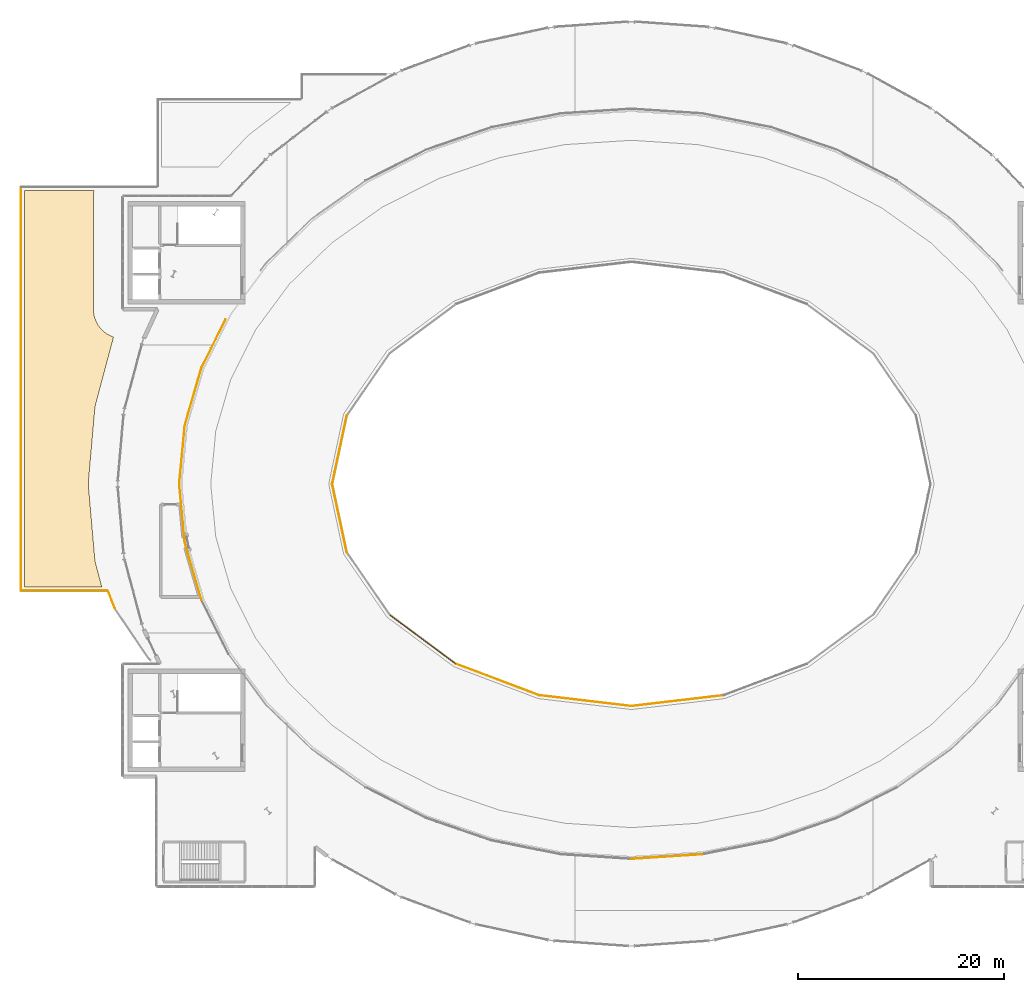
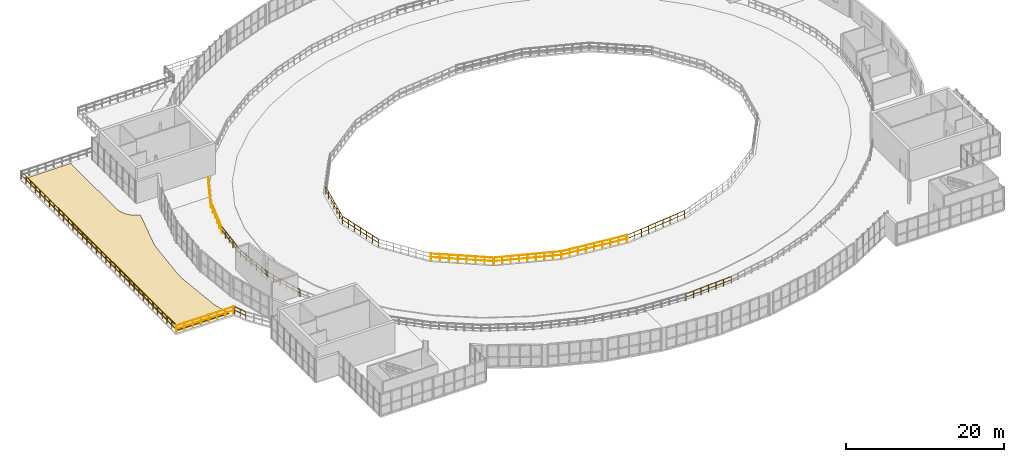
# One storey, part 36 of 40: 15 railings, 1 covering.
"""IFC4 building model written with IfcOpenShell, lengths in metres."""

from ifc_helpers import new_model, si_unit, direction, frame, origin, origin_2d, place, context, subcontext, project, spatial, polyline, circle, outline, extrude, material, layer, layer_set, type_object, element, save


model = new_model("IFC4")

# Units and contexts
model_context = context("Model", 3, precision=1e-05, world=origin(), true_north=direction((0.0, 1.0)))
body_context = subcontext(model_context, "Body", "Model", "MODEL_VIEW")
ifc_project = project(units=[si_unit("LENGTHUNIT", "METRE"), si_unit("AREAUNIT", "SQUARE_METRE"), si_unit("VOLUMEUNIT", "CUBIC_METRE"), si_unit("PLANEANGLEUNIT", "RADIAN"), si_unit("MASSUNIT", "GRAM", prefix="KILO")], contexts=[model_context])

# Site, building, storey
site_placement = place(None, origin())
site = spatial("IfcSite", under=ifc_project, at=site_placement, CompositionType="ELEMENT")
building_placement = place(site_placement, origin())
building = spatial("IfcBuilding", under=site, at=building_placement, Name="Glasvene Arena", CompositionType="ELEMENT")
storey_placement = place(building_placement, frame((0.0, 0.0, 24.0)))
storey = spatial("IfcBuildingStorey", under=building, at=storey_placement, Name="L05", CompositionType="ELEMENT", Elevation=24.0)

# Covering
ifc_material_1 = material(Name="Planted sedum green roof substrate")
ifc_layer = layer(ifc_material_1, 0.1201171875)
ifc_layer_set = layer_set([ifc_layer], Name="Planted sedum green roof substrate")
covering_type = type_object("IfcCoveringType", Name="COV-ROOF-SEDUM", PredefinedType="ROOFING", material=ifc_layer_set)
covering_placement = place(storey_placement, frame((39.74462890625, 84.0361328125, 0.0)))
element("IfcCovering", 1, at=covering_placement, inside=storey, type_object=covering_type, Name="Planted limestone terrace sedum bed TR-L05-STEP4-2-11", PredefinedType="ROOFING", context=body_context, shape_type="SweptSolid", body=[
    extrude(outline(polyline([(-0.04052734375, 17.513916015625), (-0.043701171875, 17.498046875), (-0.078125, 17.26513671875), (-0.08251953125, 17.22119140625), (-0.09423828125, 16.986083984375), (-0.0947265625, 16.9638671875), (-0.0947265625, 5.9638671875), (-0.09423828125, 5.941650390625), (-0.08251953125, 5.70654296875), (-0.078125, 5.66259765625), (-0.043701171875, 5.4296875), (-0.034912109375, 5.38623046875), (0.022216796875, 5.157958984375), (0.034912109375, 5.115478515625), (0.1142578125, 4.893798828125), (0.13134765625, 4.85302734375), (0.23193359375, 4.64013671875), (0.252685546875, 4.60107421875), (0.373779296875, 4.399169921875), (0.3984375, 4.362548828125), (0.53857421875, 4.17333984375), (0.566650390625, 4.13916015625), (0.724853515625, 3.964599609375), (0.756103515625, 3.933349609375), (0.9306640625, 3.775146484375), (0.96484375, 3.7470703125), (1.154052734375, 3.60693359375), (1.190673828125, 3.582275390625), (1.392578125, 3.461181640625), (1.431640625, 3.4404296875), (1.64453125, 3.33984375), (1.685302734375, 3.32275390625), (1.857421875, 3.26123046875), (0.1171875, -3.261962890625), (0.11279296875, -3.281005859375), (0.06787109375, -3.484130859375), (0.06103515625, -3.5224609375), (0.033935546875, -3.728759765625), (0.03173828125, -3.748291015625), (-0.583740234375, -10.787841796875), (-0.5849609375, -10.807373046875), (-0.59423828125, -11.0166015625), (-0.59423828125, -11.0556640625), (-0.5849609375, -11.264892578125), (-0.583740234375, -11.284423828125), (0.03173828125, -18.323974609375), (0.033935546875, -18.343505859375), (0.06103515625, -18.5498046875), (0.06787109375, -18.588134765625), (0.11279296875, -18.791259765625), (0.1171875, -18.810302734375), (0.724365234375, -21.086181640625), (-6.794677734375, -21.086181640625), (-6.794677734375, 17.513916015625), (-0.04052734375, 17.513916015625)])), origin(), (0.0, 0.0, 1.0), 0.1201171875),
])

# Railings
ifc_material_2 = material(Name="Brushed stainless steel", Category="steel")
railing_type_1 = type_object("IfcRailingType", Name="RL-GUARD-1100", PredefinedType="GUARDRAIL", material=ifc_material_2)
railing_1_placement = place(storey_placement, frame((52.5107421875, 89.0, 0.0)))
element("IfcRailing", 2, at=railing_1_placement, inside=storey, type_object=railing_type_1, Name="Safety guardrail GD-GND-L05-3-001", PredefinedType="GUARDRAIL", context=body_context, shape_type="SweptSolid", body=[
    extrude(circle(Radius=0.02392578125, at=origin_2d()), frame((0.0, 0.0, 1.076171875), z_axis=(-0.446713835453, -0.894676896547, 0.0), x_axis=(0.894676896547, -0.446713835453, 0.0)), (0.0, 0.0, 1.0), 5.276611328125),
    extrude(circle(Radius=0.01611328125, at=origin_2d()), frame((0.0, 0.0, 0.550048828125), z_axis=(-0.446713835453, -0.894676896547, 0.0), x_axis=(0.894676896547, -0.446713835453, 0.0)), (0.0, 0.0, 1.0), 5.276611328125),
    extrude(circle(Radius=0.02099609375, at=origin_2d()), origin(), (0.0, 0.0, 1.0), 1.052001953125),
    extrude(circle(Radius=0.02099609375, at=origin_2d()), frame((-0.471435546875, -0.944091796875, 0.0)), (0.0, 0.0, 1.0), 1.052001953125),
    extrude(circle(Radius=0.02099609375, at=origin_2d()), frame((-0.94287109375, -1.888427734375, 0.0)), (0.0, 0.0, 1.0), 1.052001953125),
    extrude(circle(Radius=0.02099609375, at=origin_2d()), frame((-1.414306640625, -2.83251953125, 0.0)), (0.0, 0.0, 1.0), 1.052001953125),
    extrude(circle(Radius=0.02099609375, at=origin_2d()), frame((-1.8857421875, -3.77685546875, 0.0)), (0.0, 0.0, 1.0), 1.052001953125),
    extrude(circle(Radius=0.02099609375, at=origin_2d()), frame((-2.357177734375, -4.720947265625, 0.0)), (0.0, 0.0, 1.0), 1.052001953125),
])
railing_2_placement = place(storey_placement, frame((50.153564453125, 84.279052734375, 0.0)))
element("IfcRailing", 3, at=railing_2_placement, inside=storey, type_object=railing_type_1, Name="Safety guardrail GD-GND-L05-3-002", PredefinedType="GUARDRAIL", context=body_context, shape_type="SweptSolid", body=[
    extrude(circle(Radius=0.02392578125, at=origin_2d()), frame((0.0, 0.0, 1.076171875), z_axis=(-0.278012064351, -0.960577582538, 0.0), x_axis=(0.960577582538, -0.278012064351, 0.0)), (0.0, 0.0, 1.0), 5.797607421875),
    extrude(circle(Radius=0.01611328125, at=origin_2d()), frame((0.0, 0.0, 0.550048828125), z_axis=(-0.278012064351, -0.960577582538, 0.0), x_axis=(0.960577582538, -0.278012064351, 0.0)), (0.0, 0.0, 1.0), 5.797607421875),
    extrude(circle(Radius=0.02099609375, at=origin_2d()), origin(), (0.0, 0.0, 1.0), 1.052001953125),
    extrude(circle(Radius=0.02099609375, at=origin_2d()), frame((-0.322265625, -1.11376953125, 0.0)), (0.0, 0.0, 1.0), 1.052001953125),
    extrude(circle(Radius=0.02099609375, at=origin_2d()), frame((-0.644775390625, -2.2275390625, 0.0)), (0.0, 0.0, 1.0), 1.052001953125),
    extrude(circle(Radius=0.02099609375, at=origin_2d()), frame((-0.967041015625, -3.341552734375, 0.0)), (0.0, 0.0, 1.0), 1.052001953125),
    extrude(circle(Radius=0.02099609375, at=origin_2d()), frame((-1.28955078125, -4.455322265625, 0.0)), (0.0, 0.0, 1.0), 1.052001953125),
    extrude(circle(Radius=0.02099609375, at=origin_2d()), frame((-1.61181640625, -5.569091796875, 0.0)), (0.0, 0.0, 1.0), 1.052001953125),
])
railing_3_placement = place(storey_placement, frame((48.541748046875, 78.7099609375, 0.0)))
element("IfcRailing", 4, at=railing_3_placement, inside=storey, type_object=railing_type_1, Name="Safety guardrail GD-GND-L05-3-003", PredefinedType="GUARDRAIL", context=body_context, shape_type="SweptSolid", body=[
    extrude(circle(Radius=0.02392578125, at=origin_2d()), frame((0.0, 0.0, 1.076171875), z_axis=(-0.094453542463, -0.995529270447, 0.0), x_axis=(0.995529270447, -0.094453542463, 0.0)), (0.0, 0.0, 1.0), 5.735595703125),
    extrude(circle(Radius=0.01611328125, at=origin_2d()), frame((0.0, 0.0, 0.550048828125), z_axis=(-0.094453542463, -0.995529270447, 0.0), x_axis=(0.995529270447, -0.094453542463, 0.0)), (0.0, 0.0, 1.0), 5.735595703125),
    extrude(circle(Radius=0.02099609375, at=origin_2d()), origin(), (0.0, 0.0, 1.0), 1.052001953125),
    extrude(circle(Radius=0.02099609375, at=origin_2d()), frame((-0.1083984375, -1.14208984375, 0.0)), (0.0, 0.0, 1.0), 1.052001953125),
    extrude(circle(Radius=0.02099609375, at=origin_2d()), frame((-0.216796875, -2.283935546875, 0.0)), (0.0, 0.0, 1.0), 1.052001953125),
    extrude(circle(Radius=0.02099609375, at=origin_2d()), frame((-0.324951171875, -3.426025390625, 0.0)), (0.0, 0.0, 1.0), 1.052001953125),
    extrude(circle(Radius=0.02099609375, at=origin_2d()), frame((-0.433349609375, -4.56787109375, 0.0)), (0.0, 0.0, 1.0), 1.052001953125),
    extrude(circle(Radius=0.02099609375, at=origin_2d()), frame((-0.541748046875, -5.7099609375, 0.0)), (0.0, 0.0, 1.0), 1.052001953125),
])
railing_4_placement = place(storey_placement, frame((48.0, 73.0, 0.0)))
element("IfcRailing", 5, at=railing_4_placement, inside=storey, type_object=railing_type_1, Name="Safety guardrail GD-GND-L05-3-004", PredefinedType="GUARDRAIL", context=body_context, shape_type="SweptSolid", body=[
    extrude(circle(Radius=0.02392578125, at=origin_2d()), frame((0.0, 0.0, 1.076171875), z_axis=(0.094453542463, -0.995529270447, 0.0), x_axis=(0.995529270447, 0.094453542463, 0.0)), (0.0, 0.0, 1.0), 5.735595703125),
    extrude(circle(Radius=0.01611328125, at=origin_2d()), frame((0.0, 0.0, 0.550048828125), z_axis=(0.094453542463, -0.995529270447, 0.0), x_axis=(0.995529270447, 0.094453542463, 0.0)), (0.0, 0.0, 1.0), 5.735595703125),
    extrude(circle(Radius=0.02099609375, at=origin_2d()), origin(), (0.0, 0.0, 1.0), 1.052001953125),
    extrude(circle(Radius=0.02099609375, at=origin_2d()), frame((0.1083984375, -1.14208984375, 0.0)), (0.0, 0.0, 1.0), 1.052001953125),
    extrude(circle(Radius=0.02099609375, at=origin_2d()), frame((0.216796875, -2.283935546875, 0.0)), (0.0, 0.0, 1.0), 1.052001953125),
    extrude(circle(Radius=0.02099609375, at=origin_2d()), frame((0.324951171875, -3.426025390625, 0.0)), (0.0, 0.0, 1.0), 1.052001953125),
    extrude(circle(Radius=0.02099609375, at=origin_2d()), frame((0.433349609375, -4.56787109375, 0.0)), (0.0, 0.0, 1.0), 1.052001953125),
    extrude(circle(Radius=0.02099609375, at=origin_2d()), frame((0.541748046875, -5.7099609375, 0.0)), (0.0, 0.0, 1.0), 1.052001953125),
])
railing_5_placement = place(storey_placement, frame((48.541748046875, 67.2900390625, 0.0)))
element("IfcRailing", 6, at=railing_5_placement, inside=storey, type_object=railing_type_1, Name="Safety guardrail GD-GND-L05-3-005", PredefinedType="GUARDRAIL", context=body_context, shape_type="SweptSolid", body=[
    extrude(circle(Radius=0.02392578125, at=origin_2d()), frame((0.0, 0.0, 1.076171875), z_axis=(0.278012064351, -0.960577582538, 0.0), x_axis=(0.960577582538, 0.278012064351, 0.0)), (0.0, 0.0, 1.0), 5.797607421875),
    extrude(circle(Radius=0.01611328125, at=origin_2d()), frame((0.0, 0.0, 0.550048828125), z_axis=(0.278012064351, -0.960577582538, 0.0), x_axis=(0.960577582538, 0.278012064351, 0.0)), (0.0, 0.0, 1.0), 5.797607421875),
    extrude(circle(Radius=0.02099609375, at=origin_2d()), origin(), (0.0, 0.0, 1.0), 1.052001953125),
    extrude(circle(Radius=0.02099609375, at=origin_2d()), frame((0.322265625, -1.11376953125, 0.0)), (0.0, 0.0, 1.0), 1.052001953125),
    extrude(circle(Radius=0.02099609375, at=origin_2d()), frame((0.644775390625, -2.2275390625, 0.0)), (0.0, 0.0, 1.0), 1.052001953125),
    extrude(circle(Radius=0.02099609375, at=origin_2d()), frame((0.967041015625, -3.341552734375, 0.0)), (0.0, 0.0, 1.0), 1.052001953125),
    extrude(circle(Radius=0.02099609375, at=origin_2d()), frame((1.28955078125, -4.455322265625, 0.0)), (0.0, 0.0, 1.0), 1.052001953125),
    extrude(circle(Radius=0.02099609375, at=origin_2d()), frame((1.61181640625, -5.569091796875, 0.0)), (0.0, 0.0, 1.0), 1.052001953125),
])
railing_6_placement = place(storey_placement, frame((92.0, 36.5, 0.0)))
element("IfcRailing", 7, at=railing_6_placement, inside=storey, type_object=railing_type_1, Name="Safety guardrail GD-GND-L05-3-014", PredefinedType="GUARDRAIL", context=body_context, shape_type="SweptSolid", body=[
    extrude(circle(Radius=0.02392578125, at=origin_2d()), frame((0.0, 0.0, 1.076171875), z_axis=(0.997874755959, 0.06516111892, 0.0), x_axis=(-0.06516111892, 0.997874755959, 0.0)), (0.0, 0.0, 1.0), 6.897705078125),
    extrude(circle(Radius=0.01611328125, at=origin_2d()), frame((0.0, 0.0, 0.550048828125), z_axis=(0.997874755959, 0.06516111892, 0.0), x_axis=(-0.06516111892, 0.997874755959, 0.0)), (0.0, 0.0, 1.0), 6.897705078125),
    extrude(circle(Radius=0.02099609375, at=origin_2d()), origin(), (0.0, 0.0, 1.0), 1.052001953125),
    extrude(circle(Radius=0.02099609375, at=origin_2d()), frame((1.147216796875, 0.074951171875, 0.0)), (0.0, 0.0, 1.0), 1.052001953125),
    extrude(circle(Radius=0.02099609375, at=origin_2d()), frame((2.29443359375, 0.14990234375, 0.0)), (0.0, 0.0, 1.0), 1.052001953125),
    extrude(circle(Radius=0.02099609375, at=origin_2d()), frame((3.44140625, 0.224609375, 0.0)), (0.0, 0.0, 1.0), 1.052001953125),
    extrude(circle(Radius=0.02099609375, at=origin_2d()), frame((4.588623046875, 0.299560546875, 0.0)), (0.0, 0.0, 1.0), 1.052001953125),
    extrude(circle(Radius=0.02099609375, at=origin_2d()), frame((5.73583984375, 0.37451171875, 0.0)), (0.0, 0.0, 1.0), 1.052001953125),
    extrude(circle(Radius=0.02099609375, at=origin_2d()), frame((6.883056640625, 0.449462890625, 0.0)), (0.0, 0.0, 1.0), 1.052001953125),
])
ifc_material_3 = material(Name="Warm bronze architectural aluminium", Category="aluminium")
railing_type_2 = type_object("IfcRailingType", Name="RL-GUARD-EXT-1150", PredefinedType="GUARDRAIL", material=ifc_material_3)
railing_7_placement = place(storey_placement, frame((64.302001953125, 79.6689453125, 0.0)))
element("IfcRailing", 8, at=railing_7_placement, inside=storey, type_object=railing_type_2, Name="Safety guardrail GD-TER-L05-TR-L05-STEP4-1-01-008", PredefinedType="GUARDRAIL", context=body_context, shape_type="SweptSolid", body=[
    extrude(circle(Radius=0.02392578125, at=origin_2d()), frame((0.0, 0.0, 1.1259765625), z_axis=(-0.208932685228, -0.977930024615, 0.0), x_axis=(0.977930024615, -0.208932685228, 0.0)), (0.0, 0.0, 1.0), 6.793701171875),
    extrude(circle(Radius=0.01611328125, at=origin_2d()), frame((0.0, 0.0, 0.574951171875), z_axis=(-0.208932685228, -0.977930024615, 0.0), x_axis=(0.977930024615, -0.208932685228, 0.0)), (0.0, 0.0, 1.0), 6.793701171875),
    extrude(circle(Radius=0.02099609375, at=origin_2d()), origin(), (0.0, 0.0, 1.0), 1.101806640625),
    extrude(circle(Radius=0.02099609375, at=origin_2d()), frame((-0.236572265625, -1.107421875, 0.0)), (0.0, 0.0, 1.0), 1.101806640625),
    extrude(circle(Radius=0.02099609375, at=origin_2d()), frame((-0.47314453125, -2.214599609375, 0.0)), (0.0, 0.0, 1.0), 1.101806640625),
    extrude(circle(Radius=0.02099609375, at=origin_2d()), frame((-0.709716796875, -3.32177734375, 0.0)), (0.0, 0.0, 1.0), 1.101806640625),
    extrude(circle(Radius=0.02099609375, at=origin_2d()), frame((-0.9462890625, -4.42919921875, 0.0)), (0.0, 0.0, 1.0), 1.101806640625),
    extrude(circle(Radius=0.02099609375, at=origin_2d()), frame((-1.182861328125, -5.53662109375, 0.0)), (0.0, 0.0, 1.0), 1.101806640625),
    extrude(circle(Radius=0.02099609375, at=origin_2d()), frame((-1.41943359375, -6.643798828125, 0.0)), (0.0, 0.0, 1.0), 1.101806640625),
])
railing_8_placement = place(storey_placement, frame((62.882568359375, 72.974853515625, 0.0)))
element("IfcRailing", 9, at=railing_8_placement, inside=storey, type_object=railing_type_2, Name="Safety guardrail GD-TER-L05-TR-L05-STEP4-1-01-009", PredefinedType="GUARDRAIL", context=body_context, shape_type="SweptSolid", body=[
    extrude(circle(Radius=0.02392578125, at=origin_2d()), frame((0.0, 0.0, 1.1259765625), z_axis=(0.208932685228, -0.977930024615, 0.0), x_axis=(0.977930024615, 0.208932685228, 0.0)), (0.0, 0.0, 1.0), 6.793701171875),
    extrude(circle(Radius=0.01611328125, at=origin_2d()), frame((0.0, 0.0, 0.574951171875), z_axis=(0.208932685228, -0.977930024615, 0.0), x_axis=(0.977930024615, 0.208932685228, 0.0)), (0.0, 0.0, 1.0), 6.793701171875),
    extrude(circle(Radius=0.02099609375, at=origin_2d()), origin(), (0.0, 0.0, 1.0), 1.101806640625),
    extrude(circle(Radius=0.02099609375, at=origin_2d()), frame((0.236572265625, -1.107421875, 0.0)), (0.0, 0.0, 1.0), 1.101806640625),
    extrude(circle(Radius=0.02099609375, at=origin_2d()), frame((0.47314453125, -2.214599609375, 0.0)), (0.0, 0.0, 1.0), 1.101806640625),
    extrude(circle(Radius=0.02099609375, at=origin_2d()), frame((0.709716796875, -3.32177734375, 0.0)), (0.0, 0.0, 1.0), 1.101806640625),
    extrude(circle(Radius=0.02099609375, at=origin_2d()), frame((0.9462890625, -4.42919921875, 0.0)), (0.0, 0.0, 1.0), 1.101806640625),
    extrude(circle(Radius=0.02099609375, at=origin_2d()), frame((1.182861328125, -5.53662109375, 0.0)), (0.0, 0.0, 1.0), 1.101806640625),
    extrude(circle(Radius=0.02099609375, at=origin_2d()), frame((1.41943359375, -6.643798828125, 0.0)), (0.0, 0.0, 1.0), 1.101806640625),
])
railing_9_placement = place(storey_placement, frame((68.467041015625, 60.26611328125, 0.0)))
element("IfcRailing", 10, at=railing_9_placement, inside=storey, type_object=railing_type_2, Name="Safety guardrail GD-TER-L05-TR-L05-STEP4-1-01-011", PredefinedType="GUARDRAIL", context=body_context, shape_type="SweptSolid", body=[
    extrude(circle(Radius=0.02392578125, at=origin_2d()), frame((0.0, 0.0, 1.1259765625), z_axis=(0.803322109708, -0.595544782577, 0.0), x_axis=(0.595544782577, 0.803322109708, 0.0)), (0.0, 0.0, 1.0), 7.986572265625),
    extrude(circle(Radius=0.01611328125, at=origin_2d()), frame((0.0, 0.0, 0.574951171875), z_axis=(0.803322109708, -0.595544782577, 0.0), x_axis=(0.595544782577, 0.803322109708, 0.0)), (0.0, 0.0, 1.0), 7.986572265625),
    extrude(circle(Radius=0.02099609375, at=origin_2d()), origin(), (0.0, 0.0, 1.0), 1.101806640625),
    extrude(circle(Radius=0.02099609375, at=origin_2d()), frame((0.91650390625, -0.679443359375, 0.0)), (0.0, 0.0, 1.0), 1.101806640625),
    extrude(circle(Radius=0.02099609375, at=origin_2d()), frame((1.8330078125, -1.35888671875, 0.0)), (0.0, 0.0, 1.0), 1.101806640625),
    extrude(circle(Radius=0.02099609375, at=origin_2d()), frame((2.74951171875, -2.038330078125, 0.0)), (0.0, 0.0, 1.0), 1.101806640625),
    extrude(circle(Radius=0.02099609375, at=origin_2d()), frame((3.666259765625, -2.718017578125, 0.0)), (0.0, 0.0, 1.0), 1.101806640625),
    extrude(circle(Radius=0.02099609375, at=origin_2d()), frame((4.582763671875, -3.3974609375, 0.0)), (0.0, 0.0, 1.0), 1.101806640625),
    extrude(circle(Radius=0.02099609375, at=origin_2d()), frame((5.499267578125, -4.076904296875, 0.0)), (0.0, 0.0, 1.0), 1.101806640625),
    extrude(circle(Radius=0.02099609375, at=origin_2d()), frame((6.415771484375, -4.75634765625, 0.0)), (0.0, 0.0, 1.0), 1.101806640625),
])
railing_10_placement = place(storey_placement, frame((74.911865234375, 55.493896484375, 0.0)))
element("IfcRailing", 11, at=railing_10_placement, inside=storey, type_object=railing_type_2, Name="Safety guardrail GD-TER-L05-TR-L05-STEP4-1-01-012", PredefinedType="GUARDRAIL", context=body_context, shape_type="SweptSolid", body=[
    extrude(circle(Radius=0.02392578125, at=origin_2d()), frame((0.0, 0.0, 1.1259765625), z_axis=(0.9354754144, -0.353391778417, 0.0), x_axis=(0.353391778417, 0.9354754144, 0.0)), (0.0, 0.0, 1.0), 8.641845703125),
    extrude(circle(Radius=0.01611328125, at=origin_2d()), frame((0.0, 0.0, 0.574951171875), z_axis=(0.9354754144, -0.353391778417, 0.0), x_axis=(0.353391778417, 0.9354754144, 0.0)), (0.0, 0.0, 1.0), 8.641845703125),
    extrude(circle(Radius=0.02099609375, at=origin_2d()), origin(), (0.0, 0.0, 1.0), 1.101806640625),
    extrude(circle(Radius=0.02099609375, at=origin_2d()), frame((1.010498046875, -0.3818359375, 0.0)), (0.0, 0.0, 1.0), 1.101806640625),
    extrude(circle(Radius=0.02099609375, at=origin_2d()), frame((2.02099609375, -0.763427734375, 0.0)), (0.0, 0.0, 1.0), 1.101806640625),
    extrude(circle(Radius=0.02099609375, at=origin_2d()), frame((3.031494140625, -1.145263671875, 0.0)), (0.0, 0.0, 1.0), 1.101806640625),
    extrude(circle(Radius=0.02099609375, at=origin_2d()), frame((4.0419921875, -1.52685546875, 0.0)), (0.0, 0.0, 1.0), 1.101806640625),
    extrude(circle(Radius=0.02099609375, at=origin_2d()), frame((5.052734375, -1.90869140625, 0.0)), (0.0, 0.0, 1.0), 1.101806640625),
    extrude(circle(Radius=0.02099609375, at=origin_2d()), frame((6.063232421875, -2.29052734375, 0.0)), (0.0, 0.0, 1.0), 1.101806640625),
    extrude(circle(Radius=0.02099609375, at=origin_2d()), frame((7.07373046875, -2.672119140625, 0.0)), (0.0, 0.0, 1.0), 1.101806640625),
    extrude(circle(Radius=0.02099609375, at=origin_2d()), frame((8.084228515625, -3.053955078125, 0.0)), (0.0, 0.0, 1.0), 1.101806640625),
])
railing_11_placement = place(storey_placement, frame((83.0244140625, 52.43310546875, 0.0)))
element("IfcRailing", 12, at=railing_11_placement, inside=storey, type_object=railing_type_2, Name="Safety guardrail GD-TER-L05-TR-L05-STEP4-1-01-013", PredefinedType="GUARDRAIL", context=body_context, shape_type="SweptSolid", body=[
    extrude(circle(Radius=0.02392578125, at=origin_2d()), frame((0.0, 0.0, 1.1259765625), z_axis=(0.993177173761, -0.11661518563, 0.0), x_axis=(0.11661518563, 0.993177173761, 0.0)), (0.0, 0.0, 1.0), 9.023193359375),
    extrude(circle(Radius=0.01611328125, at=origin_2d()), frame((0.0, 0.0, 0.574951171875), z_axis=(0.993177173761, -0.11661518563, 0.0), x_axis=(0.11661518563, 0.993177173761, 0.0)), (0.0, 0.0, 1.0), 9.023193359375),
    extrude(circle(Radius=0.02099609375, at=origin_2d()), origin(), (0.0, 0.0, 1.0), 1.101806640625),
    extrude(circle(Radius=0.02099609375, at=origin_2d()), frame((1.1201171875, -0.131591796875, 0.0)), (0.0, 0.0, 1.0), 1.101806640625),
    extrude(circle(Radius=0.02099609375, at=origin_2d()), frame((2.240478515625, -0.26318359375, 0.0)), (0.0, 0.0, 1.0), 1.101806640625),
    extrude(circle(Radius=0.02099609375, at=origin_2d()), frame((3.360595703125, -0.39453125, 0.0)), (0.0, 0.0, 1.0), 1.101806640625),
    extrude(circle(Radius=0.02099609375, at=origin_2d()), frame((4.48095703125, -0.526123046875, 0.0)), (0.0, 0.0, 1.0), 1.101806640625),
    extrude(circle(Radius=0.02099609375, at=origin_2d()), frame((5.60107421875, -0.65771484375, 0.0)), (0.0, 0.0, 1.0), 1.101806640625),
    extrude(circle(Radius=0.02099609375, at=origin_2d()), frame((6.72119140625, -0.7890625, 0.0)), (0.0, 0.0, 1.0), 1.101806640625),
    extrude(circle(Radius=0.02099609375, at=origin_2d()), frame((7.841552734375, -0.920654296875, 0.0)), (0.0, 0.0, 1.0), 1.101806640625),
    extrude(circle(Radius=0.02099609375, at=origin_2d()), frame((8.961669921875, -1.05224609375, 0.0)), (0.0, 0.0, 1.0), 1.101806640625),
])
railing_12_placement = place(storey_placement, frame((92.013916015625, 51.380859375, 0.0)))
element("IfcRailing", 13, at=railing_12_placement, inside=storey, type_object=railing_type_2, Name="Safety guardrail GD-TER-L05-TR-L05-STEP4-1-01-014", PredefinedType="GUARDRAIL", context=body_context, shape_type="SweptSolid", body=[
    extrude(circle(Radius=0.02392578125, at=origin_2d()), frame((0.0, 0.0, 1.1259765625), z_axis=(0.993177173761, 0.11661518563, 0.0), x_axis=(-0.11661518563, 0.993177173761, 0.0)), (0.0, 0.0, 1.0), 9.023193359375),
    extrude(circle(Radius=0.01611328125, at=origin_2d()), frame((0.0, 0.0, 0.574951171875), z_axis=(0.993177173761, 0.11661518563, 0.0), x_axis=(-0.11661518563, 0.993177173761, 0.0)), (0.0, 0.0, 1.0), 9.023193359375),
    extrude(circle(Radius=0.02099609375, at=origin_2d()), origin(), (0.0, 0.0, 1.0), 1.101806640625),
    extrude(circle(Radius=0.02099609375, at=origin_2d()), frame((1.1201171875, 0.131591796875, 0.0)), (0.0, 0.0, 1.0), 1.101806640625),
    extrude(circle(Radius=0.02099609375, at=origin_2d()), frame((2.240478515625, 0.26318359375, 0.0)), (0.0, 0.0, 1.0), 1.101806640625),
    extrude(circle(Radius=0.02099609375, at=origin_2d()), frame((3.360595703125, 0.39453125, 0.0)), (0.0, 0.0, 1.0), 1.101806640625),
    extrude(circle(Radius=0.02099609375, at=origin_2d()), frame((4.48095703125, 0.526123046875, 0.0)), (0.0, 0.0, 1.0), 1.101806640625),
    extrude(circle(Radius=0.02099609375, at=origin_2d()), frame((5.60107421875, 0.65771484375, 0.0)), (0.0, 0.0, 1.0), 1.101806640625),
    extrude(circle(Radius=0.02099609375, at=origin_2d()), frame((6.72119140625, 0.7890625, 0.0)), (0.0, 0.0, 1.0), 1.101806640625),
    extrude(circle(Radius=0.02099609375, at=origin_2d()), frame((7.841552734375, 0.920654296875, 0.0)), (0.0, 0.0, 1.0), 1.101806640625),
    extrude(circle(Radius=0.02099609375, at=origin_2d()), frame((8.961669921875, 1.05224609375, 0.0)), (0.0, 0.0, 1.0), 1.101806640625),
])
railing_13_placement = place(storey_placement, frame((41.749755859375, 60.858642578125, 0.0)))
element("IfcRailing", 14, at=railing_13_placement, inside=storey, type_object=railing_type_2, Name="Safety guardrail GD-TER-L05-TR-L05-STEP4-2-01-002", PredefinedType="GUARDRAIL", context=body_context, shape_type="SweptSolid", body=[
    extrude(circle(Radius=0.02392578125, at=origin_2d()), frame((0.0, 0.0, 1.1259765625), z_axis=(-0.365664887201, 0.930746576823, 0.0), x_axis=(-0.930746576823, -0.365664887201, 0.0)), (0.0, 0.0, 1.0), 1.810791015625),
    extrude(circle(Radius=0.01611328125, at=origin_2d()), frame((0.0, 0.0, 0.574951171875), z_axis=(-0.365664887201, 0.930746576823, 0.0), x_axis=(-0.930746576823, -0.365664887201, 0.0)), (0.0, 0.0, 1.0), 1.810791015625),
    extrude(circle(Radius=0.02099609375, at=origin_2d()), origin(), (0.0, 0.0, 1.0), 1.101806640625),
    extrude(circle(Radius=0.02099609375, at=origin_2d()), frame((-0.3310546875, 0.8427734375, 0.0)), (0.0, 0.0, 1.0), 1.101806640625),
    extrude(circle(Radius=0.02099609375, at=origin_2d()), frame((-0.662109375, 1.685302734375, 0.0)), (0.0, 0.0, 1.0), 1.101806640625),
])
railing_14_placement = place(storey_placement, frame((40.97607421875, 62.6201171875, 0.0)))
element("IfcRailing", 15, at=railing_14_placement, inside=storey, type_object=railing_type_2, Name="Safety guardrail GD-TER-L05-TR-L05-STEP4-2-01-003", PredefinedType="GUARDRAIL", context=body_context, shape_type="SweptSolid", body=[
    extrude(circle(Radius=0.02392578125, at=origin_2d()), frame((0.0, 0.0, 1.1259765625), z_axis=(-1.0, 0.0, 0.0), x_axis=(0.0, -1.0, 0.0)), (0.0, 0.0, 1.0), 8.35595703125),
    extrude(circle(Radius=0.01611328125, at=origin_2d()), frame((0.0, 0.0, 0.574951171875), z_axis=(-1.0, 0.0, 0.0), x_axis=(0.0, -1.0, 0.0)), (0.0, 0.0, 1.0), 8.35595703125),
    extrude(circle(Radius=0.02099609375, at=origin_2d()), origin(), (0.0, 0.0, 1.0), 1.101806640625),
    extrude(circle(Radius=0.02099609375, at=origin_2d()), frame((-1.193603515625, 0.0, 0.0)), (0.0, 0.0, 1.0), 1.101806640625),
    extrude(circle(Radius=0.02099609375, at=origin_2d()), frame((-2.387451171875, 0.0, 0.0)), (0.0, 0.0, 1.0), 1.101806640625),
    extrude(circle(Radius=0.02099609375, at=origin_2d()), frame((-3.5810546875, 0.0, 0.0)), (0.0, 0.0, 1.0), 1.101806640625),
    extrude(circle(Radius=0.02099609375, at=origin_2d()), frame((-4.77490234375, 0.0, 0.0)), (0.0, 0.0, 1.0), 1.101806640625),
    extrude(circle(Radius=0.02099609375, at=origin_2d()), frame((-5.968505859375, 0.0, 0.0)), (0.0, 0.0, 1.0), 1.101806640625),
    extrude(circle(Radius=0.02099609375, at=origin_2d()), frame((-7.162353515625, 0.0, 0.0)), (0.0, 0.0, 1.0), 1.101806640625),
    extrude(circle(Radius=0.02099609375, at=origin_2d()), frame((-8.35595703125, 0.0, 0.0)), (0.0, 0.0, 1.0), 1.101806640625),
])
railing_15_placement = place(storey_placement, frame((32.6201171875, 62.6201171875, 0.0)))
element("IfcRailing", 16, at=railing_15_placement, inside=storey, type_object=railing_type_2, Name="Safety guardrail GD-TER-L05-TR-L05-STEP4-2-01-004", PredefinedType="GUARDRAIL", context=body_context, shape_type="SweptSolid", body=[
    extrude(circle(Radius=0.02392578125, at=origin_2d()), frame((0.0, 0.0, 1.1259765625), z_axis=(0.0, 1.0, 0.0), x_axis=(-1.0, 0.0, 0.0)), (0.0, 0.0, 1.0), 39.259765625),
    extrude(circle(Radius=0.01611328125, at=origin_2d()), frame((0.0, 0.0, 0.574951171875), z_axis=(0.0, 1.0, 0.0), x_axis=(-1.0, 0.0, 0.0)), (0.0, 0.0, 1.0), 39.259765625),
    extrude(circle(Radius=0.02099609375, at=origin_2d()), origin(), (0.0, 0.0, 1.0), 1.101806640625),
    extrude(circle(Radius=0.02099609375, at=origin_2d()), frame((0.0, 1.189697265625, 0.0)), (0.0, 0.0, 1.0), 1.101806640625),
    extrude(circle(Radius=0.02099609375, at=origin_2d()), frame((0.0, 2.37939453125, 0.0)), (0.0, 0.0, 1.0), 1.101806640625),
    extrude(circle(Radius=0.02099609375, at=origin_2d()), frame((0.0, 3.569091796875, 0.0)), (0.0, 0.0, 1.0), 1.101806640625),
    extrude(circle(Radius=0.02099609375, at=origin_2d()), frame((0.0, 4.7587890625, 0.0)), (0.0, 0.0, 1.0), 1.101806640625),
    extrude(circle(Radius=0.02099609375, at=origin_2d()), frame((0.0, 5.948486328125, 0.0)), (0.0, 0.0, 1.0), 1.101806640625),
    extrude(circle(Radius=0.02099609375, at=origin_2d()), frame((0.0, 7.13818359375, 0.0)), (0.0, 0.0, 1.0), 1.101806640625),
    extrude(circle(Radius=0.02099609375, at=origin_2d()), frame((0.0, 8.327880859375, 0.0)), (0.0, 0.0, 1.0), 1.101806640625),
    extrude(circle(Radius=0.02099609375, at=origin_2d()), frame((0.0, 9.517578125, 0.0)), (0.0, 0.0, 1.0), 1.101806640625),
    extrude(circle(Radius=0.02099609375, at=origin_2d()), frame((0.0, 10.707275390625, 0.0)), (0.0, 0.0, 1.0), 1.101806640625),
    extrude(circle(Radius=0.02099609375, at=origin_2d()), frame((0.0, 11.89697265625, 0.0)), (0.0, 0.0, 1.0), 1.101806640625),
    extrude(circle(Radius=0.02099609375, at=origin_2d()), frame((0.0, 13.086669921875, 0.0)), (0.0, 0.0, 1.0), 1.101806640625),
    extrude(circle(Radius=0.02099609375, at=origin_2d()), frame((0.0, 14.2763671875, 0.0)), (0.0, 0.0, 1.0), 1.101806640625),
    extrude(circle(Radius=0.02099609375, at=origin_2d()), frame((0.0, 15.466064453125, 0.0)), (0.0, 0.0, 1.0), 1.101806640625),
    extrude(circle(Radius=0.02099609375, at=origin_2d()), frame((0.0, 16.65576171875, 0.0)), (0.0, 0.0, 1.0), 1.101806640625),
    extrude(circle(Radius=0.02099609375, at=origin_2d()), frame((0.0, 17.845458984375, 0.0)), (0.0, 0.0, 1.0), 1.101806640625),
    extrude(circle(Radius=0.02099609375, at=origin_2d()), frame((0.0, 19.03515625, 0.0)), (0.0, 0.0, 1.0), 1.101806640625),
    extrude(circle(Radius=0.02099609375, at=origin_2d()), frame((0.0, 20.224609375, 0.0)), (0.0, 0.0, 1.0), 1.101806640625),
    extrude(circle(Radius=0.02099609375, at=origin_2d()), frame((0.0, 21.414306640625, 0.0)), (0.0, 0.0, 1.0), 1.101806640625),
    extrude(circle(Radius=0.02099609375, at=origin_2d()), frame((0.0, 22.60400390625, 0.0)), (0.0, 0.0, 1.0), 1.101806640625),
    extrude(circle(Radius=0.02099609375, at=origin_2d()), frame((0.0, 23.793701171875, 0.0)), (0.0, 0.0, 1.0), 1.101806640625),
    extrude(circle(Radius=0.02099609375, at=origin_2d()), frame((0.0, 24.9833984375, 0.0)), (0.0, 0.0, 1.0), 1.101806640625),
    extrude(circle(Radius=0.02099609375, at=origin_2d()), frame((0.0, 26.173095703125, 0.0)), (0.0, 0.0, 1.0), 1.101806640625),
    extrude(circle(Radius=0.02099609375, at=origin_2d()), frame((0.0, 27.36279296875, 0.0)), (0.0, 0.0, 1.0), 1.101806640625),
    extrude(circle(Radius=0.02099609375, at=origin_2d()), frame((0.0, 28.552490234375, 0.0)), (0.0, 0.0, 1.0), 1.101806640625),
    extrude(circle(Radius=0.02099609375, at=origin_2d()), frame((0.0, 29.7421875, 0.0)), (0.0, 0.0, 1.0), 1.101806640625),
    extrude(circle(Radius=0.02099609375, at=origin_2d()), frame((0.0, 30.931884765625, 0.0)), (0.0, 0.0, 1.0), 1.101806640625),
    extrude(circle(Radius=0.02099609375, at=origin_2d()), frame((0.0, 32.12158203125, 0.0)), (0.0, 0.0, 1.0), 1.101806640625),
    extrude(circle(Radius=0.02099609375, at=origin_2d()), frame((0.0, 33.311279296875, 0.0)), (0.0, 0.0, 1.0), 1.101806640625),
    extrude(circle(Radius=0.02099609375, at=origin_2d()), frame((0.0, 34.5009765625, 0.0)), (0.0, 0.0, 1.0), 1.101806640625),
    extrude(circle(Radius=0.02099609375, at=origin_2d()), frame((0.0, 35.690673828125, 0.0)), (0.0, 0.0, 1.0), 1.101806640625),
    extrude(circle(Radius=0.02099609375, at=origin_2d()), frame((0.0, 36.88037109375, 0.0)), (0.0, 0.0, 1.0), 1.101806640625),
    extrude(circle(Radius=0.02099609375, at=origin_2d()), frame((0.0, 38.070068359375, 0.0)), (0.0, 0.0, 1.0), 1.101806640625),
    extrude(circle(Radius=0.02099609375, at=origin_2d()), frame((0.0, 39.259765625, 0.0)), (0.0, 0.0, 1.0), 1.101806640625),
])

save(model, "model.ifc")
